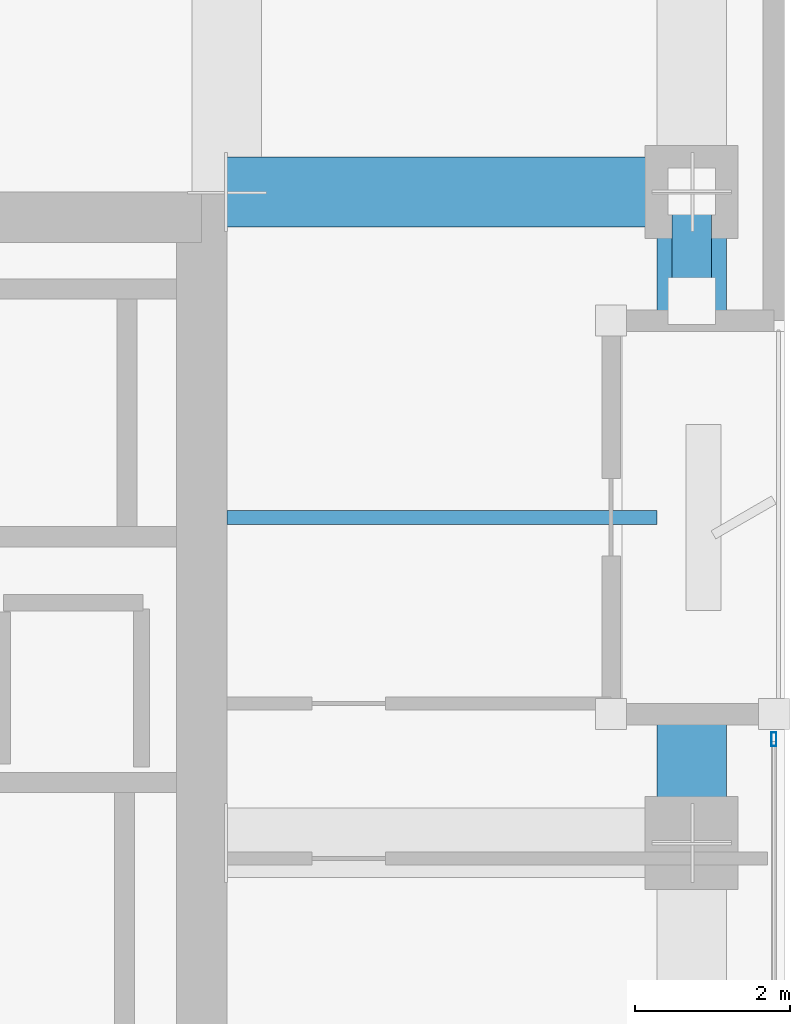
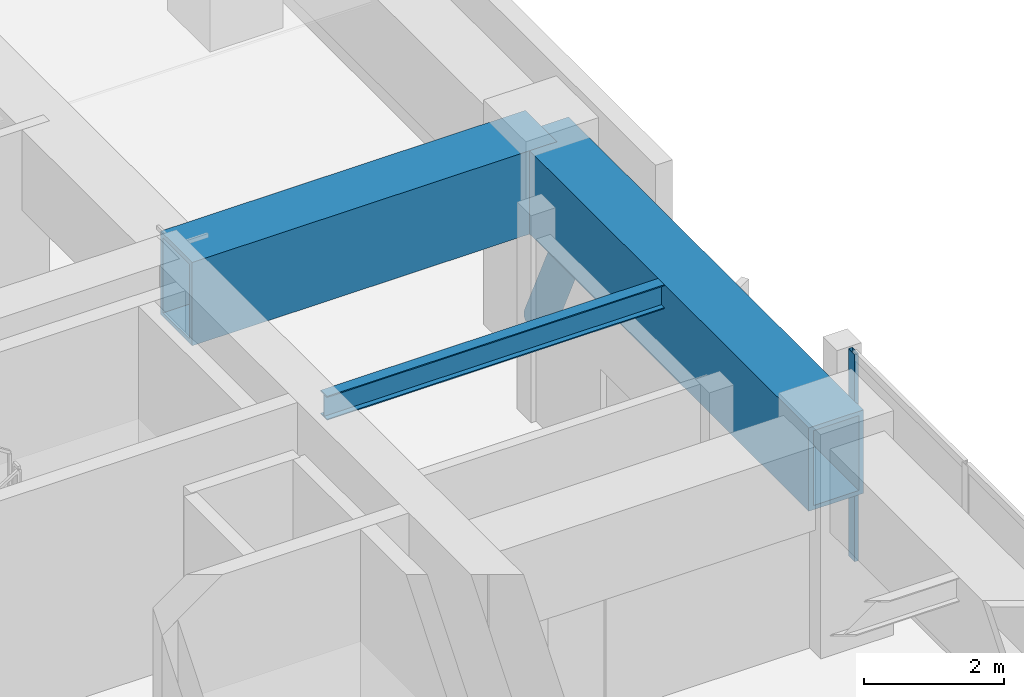
# One storey, part 11 of 30: 3 beams, 2 members, 1 element without a shape of its own.
"""IFC4 building model written with IfcOpenShell, lengths in metres."""

from ifc_helpers import new_model, si_unit, direction, frame, origin, origin_2d, place, context, subcontext, project, spatial, hollow_rectangle, hollow_circle, i_section, extrude, material, layer, layer_set, material_profile, profile_set, type_object, element, aggregate, save


model = new_model("IFC4")

# Units and contexts
model_context = context("Model", 3, precision=1e-05, world=origin(), true_north=direction((0.0, 1.0)))
body_context = subcontext(model_context, "Body", "Model", "MODEL_VIEW")
ifc_project = project(units=[si_unit("LENGTHUNIT", "METRE"), si_unit("AREAUNIT", "SQUARE_METRE"), si_unit("VOLUMEUNIT", "CUBIC_METRE"), si_unit("PLANEANGLEUNIT", "RADIAN"), si_unit("MASSUNIT", "GRAM", prefix="KILO")], contexts=[model_context])

# Site, building, storey
site_placement = place(None, origin())
site = spatial("IfcSite", under=ifc_project, at=site_placement, CompositionType="ELEMENT")
building_placement = place(site_placement, origin())
building = spatial("IfcBuilding", under=site, at=building_placement, Name="Kiyonajd Concourse Tower", CompositionType="ELEMENT")
storey_placement = place(building_placement, frame((0.0, 0.0, 205.800048828125)))
storey = spatial("IfcBuildingStorey", under=building, at=storey_placement, Name="L52", CompositionType="ELEMENT", Elevation=205.800048828125)

# Beams
ifc_material_1 = material(Name="Steel ASTM A992 Grade 50", Category="steel")
ifc_material_profile_1 = material_profile(ifc_material_1, i_section(OverallWidth=0.180908203125, OverallDepth=0.4169921875, WebThickness=0.010986328125, FlangeThickness=0.018310546875, at=origin_2d()), Name="W410X85")
ifc_profile_set_1 = profile_set([ifc_material_profile_1], Name="Steel ASTM A992 Grade 50")
beam_type_1 = type_object("IfcBeamType", Name="BM-JST-410", PredefinedType="JOIST", material=ifc_profile_set_1)
beam_1_placement = place(storey_placement, frame((63.60009765625, 40.199951171875, 3.391357421875), z_axis=(1.0, 0.0, 0.0), x_axis=(0.0, 1.0, 0.0)))
element("IfcBeam", 1, at=beam_1_placement, inside=storey, type_object=beam_type_1, Name="L52 East Secondary Floor Joist", PredefinedType="JOIST", context=body_context, shape_type="SweptSolid", body=[
    extrude(i_section(OverallWidth=0.180908203125, OverallDepth=0.4169921875, WebThickness=0.010986328125, FlangeThickness=0.018310546875, at=origin_2d()), origin(), (0.0, 0.0, 1.0), 5.5498046875),
])
ifc_material_2 = material(Name="Steel ASTM A572 Grade 50", Category="steel")
ifc_material_profile_2 = material_profile(ifc_material_2, hollow_rectangle(XDim=0.89990234375, YDim=1.449951171875, WallThickness=0.074951171875, at=origin_2d()), Name="BOX-1450x900x75")
ifc_profile_set_2 = profile_set([ifc_material_profile_2], Name="Steel ASTM A572 Grade 50")
beam_type_2 = type_object("IfcBeamType", Name="BM-XFER-1800", PredefinedType="BEAM", material=ifc_profile_set_2)
beam_2_placement = place(storey_placement, frame((69.60009765625, 36.0, 2.875), z_axis=(0.0, 1.0, 0.0), x_axis=(-1.0, 0.0, 0.0)))
element("IfcBeam", 2, at=beam_2_placement, inside=storey, type_object=beam_type_2, Name="L52 Perimeter Bundled Tube Spandrel", PredefinedType="BEAM", context=body_context, shape_type="SweptSolid", body=[
    extrude(hollow_rectangle(XDim=0.89990234375, YDim=1.449951171875, WallThickness=0.074951171875, at=origin_2d()), origin(), (0.0, 0.0, 1.0), 8.39990234375),
])
beam_3_placement = place(storey_placement, frame((63.60009765625, 44.39990234375, 2.875), z_axis=(1.0, 0.0, 0.0), x_axis=(0.0, 1.0, 0.0)))
element("IfcBeam", 3, at=beam_3_placement, inside=storey, type_object=beam_type_2, Name="L52 East Lease Girder", PredefinedType="BEAM", context=body_context, shape_type="SweptSolid", body=[
    extrude(hollow_rectangle(XDim=0.89990234375, YDim=1.449951171875, WallThickness=0.074951171875, at=origin_2d()), origin(), (0.0, 0.0, 1.0), 6.0),
])

# Curtain wall, member
ifc_material_3 = material(Name="Thermally Broken Anodised Aluminium", Category="aluminium")
ifc_layer = layer(ifc_material_3, 0.179931640625)
ifc_layer_set = layer_set([ifc_layer], Name="Thermally Broken Anodised Aluminium")
curtain_wall_type = type_object("IfcCurtainWallType", Name="CW-SYS-03", PredefinedType="NOTDEFINED", material=ifc_layer_set)
curtain_wall_placement = place(storey_placement, origin())
curtain_wall = element("IfcCurtainWall", 4, at=curtain_wall_placement, inside=storey, type_object=curtain_wall_type, Name="L52 Unitised Curtain Wall CW3", PredefinedType="NOTDEFINED")
ifc_material_profile_3 = material_profile(ifc_material_3, hollow_rectangle(XDim=0.06494140625, YDim=0.179931640625, WallThickness=0.00390625, at=origin_2d()), Name="MULL-65x180")
ifc_profile_set_3 = profile_set([ifc_material_profile_3], Name="Thermally Broken Anodised Aluminium")
member_type_1 = type_object("IfcMemberType", Name="MB-CW-MULL1", PredefinedType="MULLION", material=ifc_profile_set_3)
member_1_placement = place(storey_placement, frame((70.659912109375, 37.33740234375, 0.0), z_axis=(0.0, 0.0, 1.0), x_axis=(1.0, 0.0, 0.0)))
member_1 = element("IfcMember", 5, at=member_1_placement, type_object=member_type_1, Name="CW3 mullion 1", PredefinedType="MULLION", context=body_context, shape_type="SweptSolid", body=[
    extrude(hollow_rectangle(XDim=0.06494140625, YDim=0.179931640625, WallThickness=0.00390625, at=origin_2d()), origin(), (0.0, 0.0, 1.0), 3.599853515625),
])
aggregate(curtain_wall, [member_1])

# Member
ifc_material_4 = material(Name="Steel ASTM A500 Grade C", Category="steel")
ifc_material_profile_4 = material_profile(ifc_material_4, hollow_circle(Radius=0.25390625, WallThickness=0.02197265625, at=origin_2d()), Name="CHS-508x22")
ifc_profile_set_4 = profile_set([ifc_material_profile_4], Name="Steel ASTM A500 Grade C")
member_type_2 = type_object("IfcMemberType", Name="MB-PB-MID", PredefinedType="BRACE", material=ifc_profile_set_4)
member_2_placement = place(storey_placement, frame((69.60009765625, 44.39990234375, 0.300048828125), z_axis=(0.0, -0.428725834465, 0.903434645595), x_axis=(1.0, 0.0, 0.0)))
element("IfcMember", 6, at=member_2_placement, inside=storey, type_object=member_type_2, Name="L52 Upper Zone Hollow Tube Brace PBE", PredefinedType="BRACE", context=body_context, shape_type="SweptSolid", body=[
    extrude(hollow_circle(Radius=0.25390625, WallThickness=0.02197265625, at=origin_2d()), origin(), (0.0, 0.0, 1.0), 3.265380859375),
])

save(model, "model.ifc")
